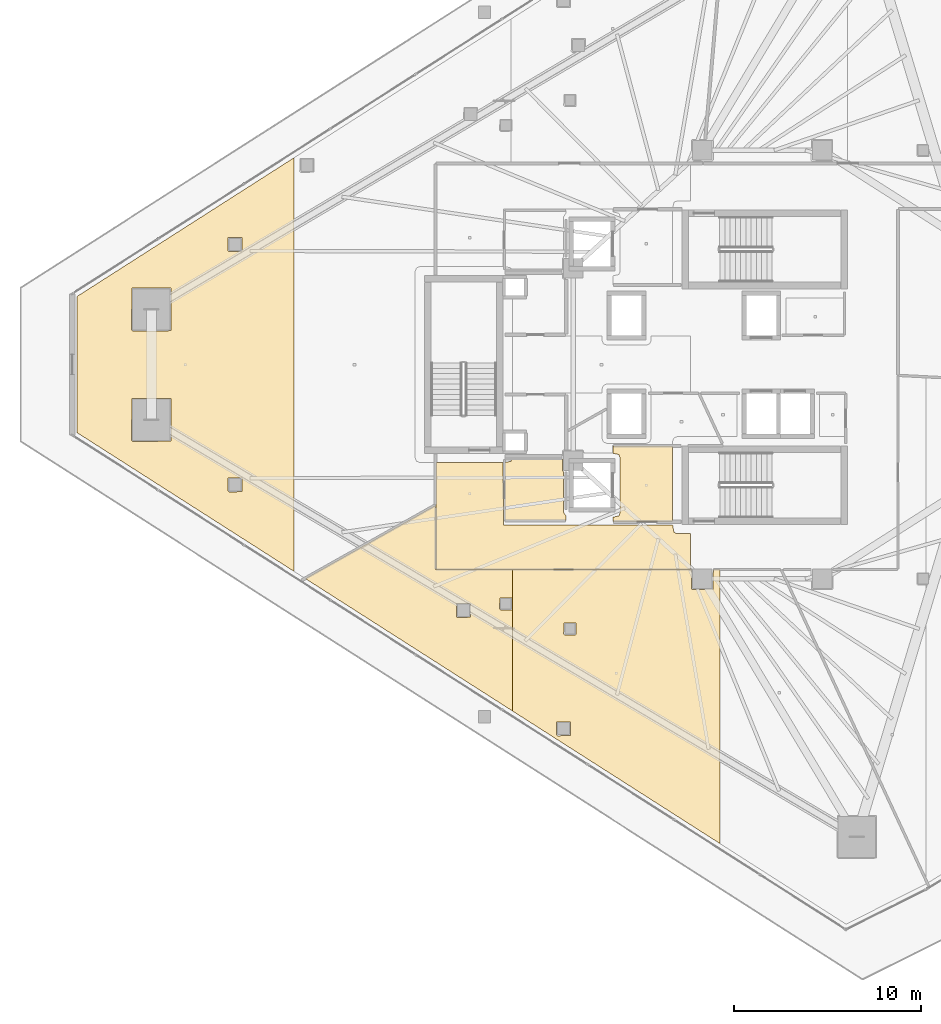
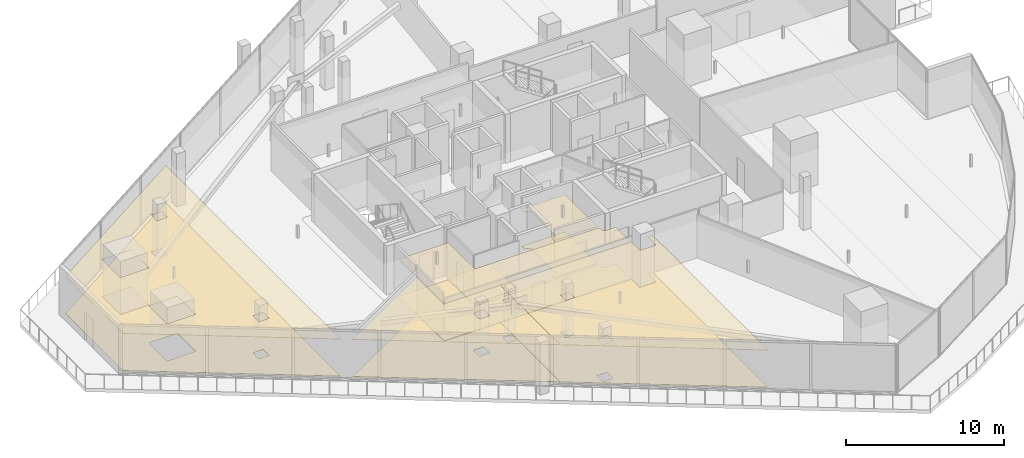
# One storey, part 34 of 40: 11 coverings.
"""IFC4 building model written with IfcOpenShell, lengths in metres."""

from ifc_helpers import new_model, si_unit, direction, frame, origin, place, context, subcontext, project, spatial, polyline, outline, extrude, material, layer, layer_set, type_object, element, save


model = new_model("IFC4")

# Units and contexts
model_context = context("Model", 3, precision=1e-05, world=origin(), true_north=direction((0.0, 1.0)))
body_context = subcontext(model_context, "Body", "Model", "MODEL_VIEW")
ifc_project = project(units=[si_unit("LENGTHUNIT", "METRE"), si_unit("AREAUNIT", "SQUARE_METRE"), si_unit("VOLUMEUNIT", "CUBIC_METRE"), si_unit("PLANEANGLEUNIT", "RADIAN"), si_unit("MASSUNIT", "GRAM", prefix="KILO")], contexts=[model_context])

# Site, building, storey
site_placement = place(None, origin())
site = spatial("IfcSite", under=ifc_project, at=site_placement, CompositionType="ELEMENT")
building_placement = place(site_placement, origin())
building = spatial("IfcBuilding", under=site, at=building_placement, Name="Qorvath Tower", CompositionType="ELEMENT")
storey_placement = place(building_placement, frame((0.0, 0.0, 138.14990234375)))
storey = spatial("IfcBuildingStorey", under=building, at=storey_placement, Name="L31", CompositionType="ELEMENT", Elevation=138.14990234375)

# Coverings
ifc_material_1 = material(Name="Acoustic mineral fibre ceiling tile", Category="gypsum")
ifc_layer_1 = layer(ifc_material_1, 0.030029296875)
ifc_layer_set_1 = layer_set([ifc_layer_1], Name="COV-CEIL")
covering_type_1 = type_object("IfcCoveringType", Name="COV-CEIL", PredefinedType="CEILING", material=ifc_layer_set_1)
covering_1_placement = place(storey_placement, frame((0.0, 0.0, 2.85009765625)))
element("IfcCovering", 1, at=covering_1_placement, inside=storey, type_object=covering_type_1, Name="L31 Suspended Acoustic Ceiling 002", PredefinedType="CEILING", context=body_context, shape_type="SweptSolid", body=[
    extrude(outline(polyline([(-25.18994140625, -8.39501953125), (-25.18994140625, -4.35498046875), (-28.375, -4.35498046875), (-28.375, -4.739990234375), (-28.063232421875, -4.813232421875), (-27.989990234375, -4.989990234375), (-27.989990234375, -7.909912109375), (-28.063232421875, -8.086669921875), (-28.375, -8.159912109375), (-28.375, -8.39501953125), (-25.18994140625, -8.39501953125)])), origin(), (0.0, 0.0, 1.0), 0.030029296875),
])
covering_2_placement = place(storey_placement, frame((0.0, 0.0, 2.85009765625)))
element("IfcCovering", 2, at=covering_2_placement, inside=storey, type_object=covering_type_1, Name="L31 Suspended Acoustic Ceiling 008", PredefinedType="CEILING", context=body_context, shape_type="SweptSolid", body=[
    extrude(outline(polyline([(-34.22509765625, -8.580078125), (-34.251220703125, -5.239990234375), (-37.844970703125, -5.239990234375), (-37.844970703125, -10.945068359375), (-24.220458984375, -10.945068359375), (-24.220458984375, -9.0400390625), (-24.93994140625, -9.0400390625), (-25.11669921875, -8.966796875), (-25.18994140625, -8.57421875), (-34.22509765625, -8.580078125)])), origin(), (0.0, 0.0, 1.0), 0.030029296875),
])
covering_3_placement = place(storey_placement, frame((0.0, 0.0, 2.85009765625)))
element("IfcCovering", 3, at=covering_3_placement, inside=storey, type_object=covering_type_1, Name="L31 Suspended Acoustic Ceiling 011", PredefinedType="CEILING", context=body_context, shape_type="SweptSolid", body=[
    extrude(outline(polyline([(-57.031494140625, 3.63623046875), (-57.031494140625, -3.63623046875), (-45.434814453125, -11.048095703125), (-45.434814453125, 11.048095703125), (-57.031494140625, 3.63623046875)]), holes=[polyline([(-48.96337890625, -6.74951171875), (-48.94580078125, -6.05712890625), (-48.2109375, -6.05712890625), (-48.2109375, -6.7919921875), (-48.9033203125, -6.8095703125), (-48.96337890625, -6.74951171875)]), polyline([(-48.96337890625, 6.099609375), (-48.94580078125, 6.7919921875), (-48.2109375, 6.7919921875), (-48.2109375, 6.05712890625), (-48.9033203125, 6.03955078125), (-48.96337890625, 6.099609375)]), polyline([(-54.109375, -4.05078125), (-54.091796875, -1.808349609375), (-52.007080078125, -1.808349609375), (-52.007080078125, -4.09326171875), (-54.04931640625, -4.11083984375), (-54.109375, -4.05078125)]), polyline([(-54.109375, 1.850830078125), (-54.091796875, 4.09326171875), (-52.007080078125, 4.09326171875), (-52.007080078125, 1.808349609375), (-54.04931640625, 1.790771484375), (-54.109375, 1.850830078125)])]), origin(), (0.0, 0.0, 1.0), 0.030029296875),
])
covering_4_placement = place(storey_placement, frame((0.0, 0.0, 2.85009765625)))
element("IfcCovering", 4, at=covering_4_placement, inside=storey, type_object=covering_type_1, Name="L31 Suspended Acoustic Ceiling 014", PredefinedType="CEILING", context=body_context, shape_type="SweptSolid", body=[
    extrude(outline(polyline([(-33.740234375, -18.5224609375), (-33.740234375, -10.962890625), (-37.85791015625, -10.962890625), (-37.863037109375, -7.52685546875), (-44.82275390625, -11.439208984375), (-33.740234375, -18.5224609375)]), holes=[polyline([(-34.439208984375, -13.0673828125), (-34.421630859375, -12.47509765625), (-33.786865234375, -12.47509765625), (-33.786865234375, -13.10986328125), (-34.379150390625, -13.12744140625), (-34.439208984375, -13.0673828125)]), polyline([(-36.749755859375, -13.46044921875), (-36.732177734375, -12.76806640625), (-35.997314453125, -12.76806640625), (-35.997314453125, -13.5029296875), (-36.689697265625, -13.5205078125), (-36.749755859375, -13.46044921875)])]), origin(), (0.0, 0.0, 1.0), 0.030029296875),
])
covering_5_placement = place(storey_placement, frame((0.0, 0.0, 2.85009765625)))
element("IfcCovering", 5, at=covering_5_placement, inside=storey, type_object=covering_type_1, Name="L31 Suspended Acoustic Ceiling 015", PredefinedType="CEILING", context=body_context, shape_type="SweptSolid", body=[
    extrude(outline(polyline([(-22.65771484375, -25.60546875), (-22.65771484375, -10.962890625), (-23.014892578125, -10.962890625), (-23.032470703125, -12.017333984375), (-24.125, -12.034912109375), (-24.18505859375, -11.97509765625), (-24.18505859375, -10.962890625), (-33.740234375, -10.962890625), (-33.740234375, -18.5224609375), (-22.65771484375, -25.60546875)]), holes=[polyline([(-31.01220703125, -14.3994140625), (-30.99462890625, -13.806884765625), (-30.35986328125, -13.806884765625), (-30.35986328125, -14.441650390625), (-30.9521484375, -14.459228515625), (-31.01220703125, -14.3994140625)]), polyline([(-31.401123046875, -19.785400390625), (-31.383544921875, -19.093017578125), (-30.648681640625, -19.093017578125), (-30.648681640625, -19.827880859375), (-31.341064453125, -19.845458984375), (-31.401123046875, -19.785400390625)])]), origin(), (0.0, 0.0, 1.0), 0.030029296875),
])
ifc_material_2 = material(Name="Low-VOC modular carpet tile", Category="textile")
ifc_layer_2 = layer(ifc_material_2, 0.014892578125)
ifc_layer_set_2 = layer_set([ifc_layer_2], Name="COV-FLOOR-CPT")
covering_type_2 = type_object("IfcCoveringType", Name="COV-FLOOR-CPT", PredefinedType="FLOORING", material=ifc_layer_set_2)
covering_6_placement = place(storey_placement, origin())
element("IfcCovering", 6, at=covering_6_placement, inside=storey, type_object=covering_type_2, Name="L31 Floor Finish 011", PredefinedType="FLOORING", context=body_context, shape_type="SweptSolid", body=[
    extrude(outline(polyline([(-57.031494140625, 3.63623046875), (-57.031494140625, -3.63623046875), (-45.434814453125, -11.048095703125), (-45.434814453125, 11.048095703125), (-57.031494140625, 3.63623046875)]), holes=[polyline([(-48.96337890625, -6.74951171875), (-48.94580078125, -6.05712890625), (-48.2109375, -6.05712890625), (-48.2109375, -6.7919921875), (-48.9033203125, -6.8095703125), (-48.96337890625, -6.74951171875)]), polyline([(-48.96337890625, 6.099609375), (-48.94580078125, 6.7919921875), (-48.2109375, 6.7919921875), (-48.2109375, 6.05712890625), (-48.9033203125, 6.03955078125), (-48.96337890625, 6.099609375)]), polyline([(-54.109375, -4.05078125), (-54.091796875, -1.808349609375), (-52.007080078125, -1.808349609375), (-52.007080078125, -4.09326171875), (-54.04931640625, -4.11083984375), (-54.109375, -4.05078125)]), polyline([(-54.109375, 1.850830078125), (-54.091796875, 4.09326171875), (-52.007080078125, 4.09326171875), (-52.007080078125, 1.808349609375), (-54.04931640625, 1.790771484375), (-54.109375, 1.850830078125)])]), origin(), (0.0, 0.0, 1.0), 0.01513671875),
])
covering_7_placement = place(storey_placement, origin())
element("IfcCovering", 7, at=covering_7_placement, inside=storey, type_object=covering_type_2, Name="L31 Floor Finish 014", PredefinedType="FLOORING", context=body_context, shape_type="SweptSolid", body=[
    extrude(outline(polyline([(-33.740234375, -18.5224609375), (-33.740234375, -10.962890625), (-37.85791015625, -10.962890625), (-37.863037109375, -7.52685546875), (-44.82275390625, -11.439208984375), (-33.740234375, -18.5224609375)]), holes=[polyline([(-34.439208984375, -13.0673828125), (-34.421630859375, -12.47509765625), (-33.786865234375, -12.47509765625), (-33.786865234375, -13.10986328125), (-34.379150390625, -13.12744140625), (-34.439208984375, -13.0673828125)]), polyline([(-36.749755859375, -13.46044921875), (-36.732177734375, -12.76806640625), (-35.997314453125, -12.76806640625), (-35.997314453125, -13.5029296875), (-36.689697265625, -13.5205078125), (-36.749755859375, -13.46044921875)])]), origin(), (0.0, 0.0, 1.0), 0.01513671875),
])
covering_8_placement = place(storey_placement, origin())
element("IfcCovering", 8, at=covering_8_placement, inside=storey, type_object=covering_type_2, Name="L31 Floor Finish 015", PredefinedType="FLOORING", context=body_context, shape_type="SweptSolid", body=[
    extrude(outline(polyline([(-22.65771484375, -25.60546875), (-22.65771484375, -10.962890625), (-23.014892578125, -10.962890625), (-23.032470703125, -12.017333984375), (-24.125, -12.034912109375), (-24.18505859375, -11.97509765625), (-24.18505859375, -10.962890625), (-33.740234375, -10.962890625), (-33.740234375, -18.5224609375), (-22.65771484375, -25.60546875)]), holes=[polyline([(-31.01220703125, -14.3994140625), (-30.99462890625, -13.806884765625), (-30.35986328125, -13.806884765625), (-30.35986328125, -14.441650390625), (-30.9521484375, -14.459228515625), (-31.01220703125, -14.3994140625)]), polyline([(-31.401123046875, -19.785400390625), (-31.383544921875, -19.093017578125), (-30.648681640625, -19.093017578125), (-30.648681640625, -19.827880859375), (-31.341064453125, -19.845458984375), (-31.401123046875, -19.785400390625)])]), origin(), (0.0, 0.0, 1.0), 0.01513671875),
])
ifc_material_3 = material(Name="Polished epoxy terrazzo flooring", Category="concrete")
ifc_layer_3 = layer(ifc_material_3, 0.02001953125)
ifc_layer_set_3 = layer_set([ifc_layer_3], Name="COV-FLOOR-TRZ")
covering_type_3 = type_object("IfcCoveringType", Name="COV-FLOOR-TRZ", PredefinedType="FLOORING", material=ifc_layer_set_3)
covering_9_placement = place(storey_placement, origin())
element("IfcCovering", 9, at=covering_9_placement, inside=storey, type_object=covering_type_3, Name="L31 Floor Finish 002", PredefinedType="FLOORING", context=body_context, shape_type="SweptSolid", body=[
    extrude(outline(polyline([(-25.18994140625, -8.39501953125), (-25.18994140625, -4.35498046875), (-28.375, -4.35498046875), (-28.375, -4.739990234375), (-28.063232421875, -4.813232421875), (-27.989990234375, -4.989990234375), (-27.989990234375, -7.909912109375), (-28.063232421875, -8.086669921875), (-28.375, -8.159912109375), (-28.375, -8.39501953125), (-25.18994140625, -8.39501953125)])), origin(), (0.0, 0.0, 1.0), 0.01513671875),
])
covering_10_placement = place(storey_placement, origin())
element("IfcCovering", 10, at=covering_10_placement, inside=storey, type_object=covering_type_3, Name="L31 Floor Finish 006", PredefinedType="FLOORING", context=body_context, shape_type="SweptSolid", body=[
    extrude(outline(polyline([(-31.0849609375, -5.054931640625), (-33.786865234375, -5.054931640625), (-33.833251953125, -5.166748046875), (-34.175048828125, -5.239990234375), (-34.175048828125, -8.344970703125), (-30.885009765625, -8.344970703125), (-30.885009765625, -8.108154296875), (-31.010009765625, -7.909912109375), (-31.010009765625, -5.735107421875), (-31.0849609375, -5.675048828125), (-31.0849609375, -5.054931640625)])), origin(), (0.0, 0.0, 1.0), 0.01513671875),
])
covering_11_placement = place(storey_placement, origin())
element("IfcCovering", 11, at=covering_11_placement, inside=storey, type_object=covering_type_3, Name="L31 Floor Finish 008", PredefinedType="FLOORING", context=body_context, shape_type="SweptSolid", body=[
    extrude(outline(polyline([(-34.22509765625, -8.580078125), (-34.251220703125, -5.239990234375), (-37.844970703125, -5.239990234375), (-37.844970703125, -10.945068359375), (-24.220458984375, -10.945068359375), (-24.220458984375, -9.0400390625), (-24.93994140625, -9.0400390625), (-25.11669921875, -8.966796875), (-25.18994140625, -8.57421875), (-34.22509765625, -8.580078125)])), origin(), (0.0, 0.0, 1.0), 0.01513671875),
])

save(model, "model.ifc")
